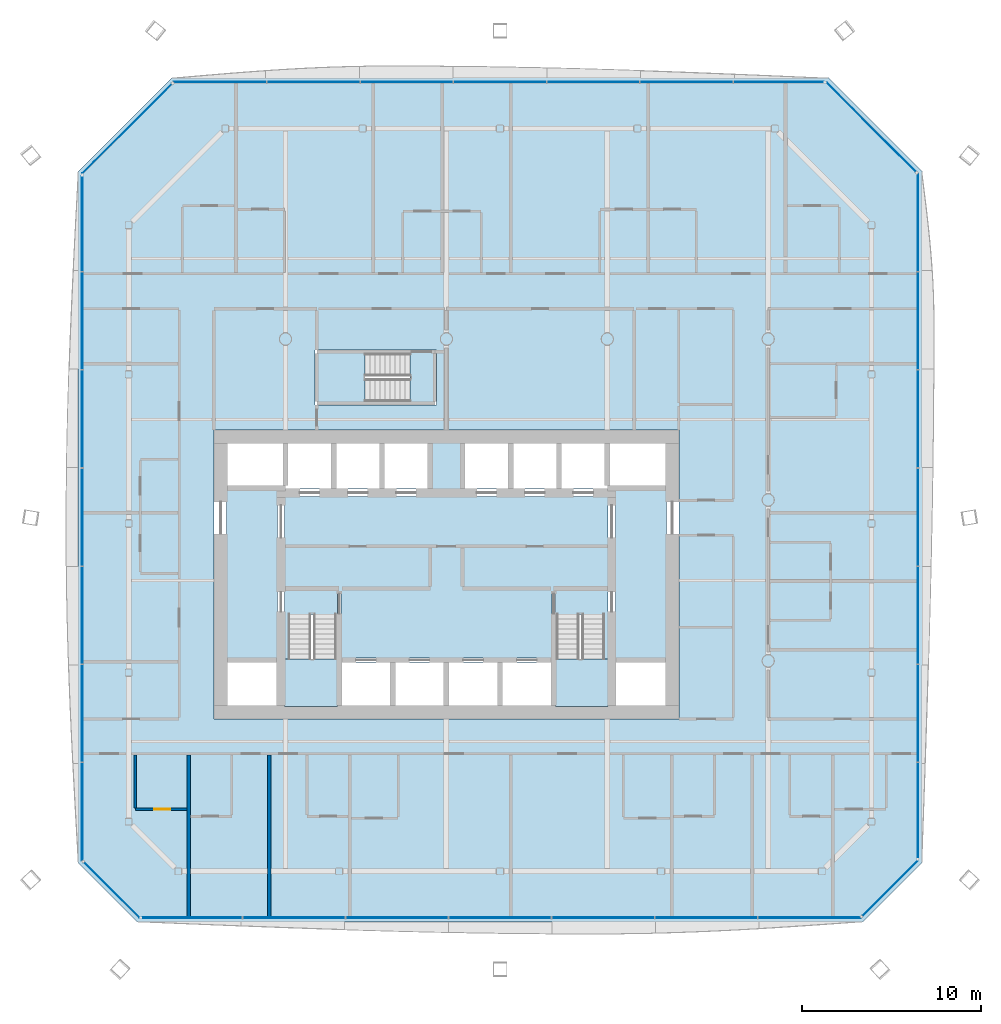
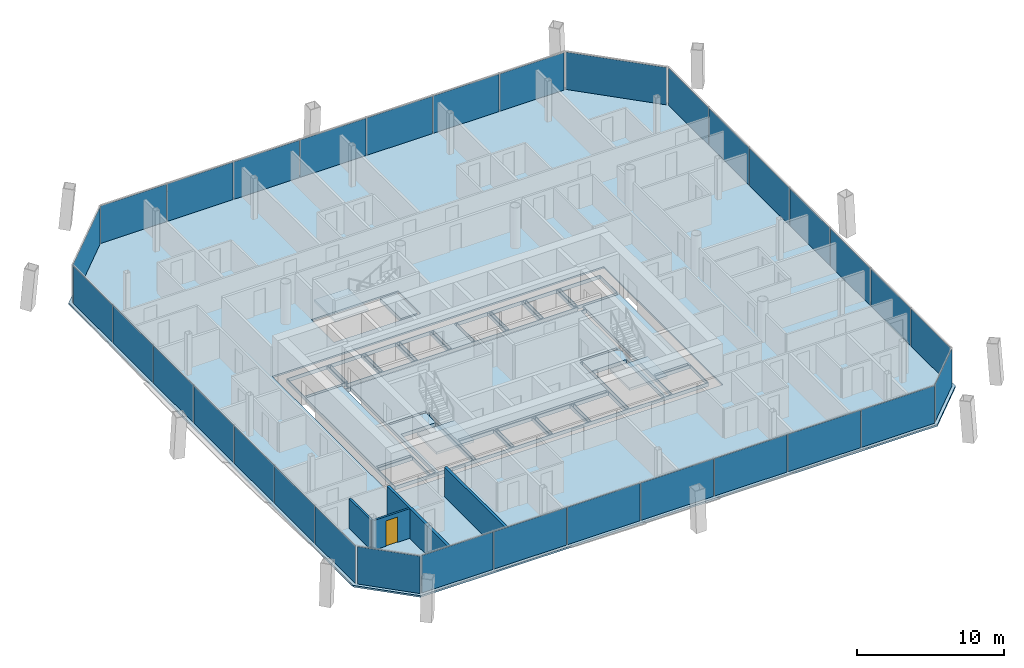
# One storey, part 12 of 22: 32 plates, 6 slabs, 4 walls, 1 door, 1 opening, 11 elements without a shape of their own.
"""IFC4 building model written with IfcOpenShell, lengths in metres."""

from ifc_helpers import new_model, si_unit, direction, frame, frame_2d, origin, origin_2d, place, context, subcontext, project, spatial, polyline, rectangle, outline, extrude, material, layer, layer_set, type_object, element, fill, aggregate, save


model = new_model("IFC4")

# Units and contexts
model_context = context("Model", 3, precision=1e-05, world=origin(), true_north=direction((0.0, 1.0)))
body_context = subcontext(model_context, "Body", "Model", "MODEL_VIEW")
ifc_project = project(units=[si_unit("LENGTHUNIT", "METRE"), si_unit("AREAUNIT", "SQUARE_METRE"), si_unit("VOLUMEUNIT", "CUBIC_METRE"), si_unit("PLANEANGLEUNIT", "RADIAN"), si_unit("MASSUNIT", "GRAM", prefix="KILO")], contexts=[model_context])

# Site, building, storey
site_placement = place(None, origin())
site = spatial("IfcSite", under=ifc_project, at=site_placement, CompositionType="ELEMENT")
building_placement = place(site_placement, origin())
building = spatial("IfcBuilding", under=site, at=building_placement, Name="Tskaro Facet Tower", CompositionType="ELEMENT")
storey_placement = place(building_placement, frame((0.0, 0.0, 124.89990234375)))
storey = spatial("IfcBuildingStorey", under=building, at=storey_placement, Name="L29", CompositionType="ELEMENT", Elevation=124.89990234375)

# Slab
ifc_material_1 = material(Name="Concrete C30/37", Category="concrete")
ifc_layer_1 = layer(ifc_material_1, 0.139892578125, Name="Concrete C30/37")
ifc_layer_set_1 = layer_set([ifc_layer_1], Name="Concrete C30/37")
slab_type_1 = type_object("IfcSlabType", Name="Composite deck floor slab", PredefinedType="FLOOR", material=ifc_layer_set_1)
slab_1_placement = place(storey_placement, frame((0.0, 0.0, -0.139892578125)))
element("IfcSlab", 1, at=slab_1_placement, inside=storey, type_object=slab_type_1, Name="Floor slab FS3 L29", PredefinedType="FLOOR", context=body_context, shape_type="SweptSolid", body=[
    extrude(outline(polyline([(-17.27001953125, -23.616943359375), (23.27001953125, -23.616943359375), (26.616943359375, -20.27001953125), (26.616943359375, 18.35693359375), (21.35693359375, 23.616943359375), (-15.35693359375, 23.616943359375), (-20.616943359375, 18.35693359375), (-20.616943359375, -20.27001953125), (-17.27001953125, -23.616943359375)]), holes=[polyline([(-13.0, -12.25), (13.0, -12.25), (13.0, 3.89990234375), (-13.0, 3.89990234375), (-13.0, -12.25)]), polyline([(-7.35009765625, 5.300048828125), (-0.550048828125, 5.300048828125), (-0.550048828125, 8.39990234375), (-7.35009765625, 8.39990234375), (-7.35009765625, 5.300048828125)])]), origin(), (0.0, 0.0, 1.0), 0.139892578125),
])

# Curtain wall, plates
ifc_material_2 = material(Name="Bronze anodised aluminium 6063-T6", Category="aluminium")
curtain_wall_type = type_object("IfcCurtainWallType", Name="Bronze hotel curtain wall (FW2)", PredefinedType="NOTDEFINED", material=ifc_material_2)
curtain_wall_1_placement = place(storey_placement, origin())
curtain_wall_1 = element("IfcCurtainWall", 2, at=curtain_wall_1_placement, inside=storey, type_object=curtain_wall_type, Name="FW2 south facet L29", PredefinedType="NOTDEFINED")
ifc_material_3 = material(Name="Bronze solar control glass", Category="glass")
ifc_layer_2 = layer(ifc_material_3, 0.030029296875, Name="Bronze solar control glass")
ifc_layer_set_2 = layer_set([ifc_layer_2], Name="Bronze solar control glass")
plate_type = type_object("IfcPlateType", Name="FW2 bronze-tinted unit glazing 30", PredefinedType="CURTAIN_PANEL", material=ifc_layer_set_2)
plate_1_placement = place(storey_placement, frame((-14.22509765625, -23.366943359375, 0.0), z_axis=(0.0, 0.0, 1.0), x_axis=(1.0, 0.0, 0.0)))
plate_1 = element("IfcPlate", 3, at=plate_1_placement, type_object=plate_type, Name="FW2 south glazing 1.1", PredefinedType="CURTAIN_PANEL", context=body_context, shape_type="SweptSolid", body=[
    extrude(rectangle(XDim=5.581787109375, YDim=0.030029296875, at=origin_2d()), origin(), (0.0, 0.0, 1.0), 3.10009765625),
])
plate_2_placement = place(storey_placement, frame((-8.5234375, -23.366943359375, 0.0), z_axis=(0.0, 0.0, 1.0), x_axis=(1.0, 0.0, 0.0)))
plate_2 = element("IfcPlate", 4, at=plate_2_placement, type_object=plate_type, Name="FW2 south glazing 2.1", PredefinedType="CURTAIN_PANEL", context=body_context, shape_type="SweptSolid", body=[
    extrude(rectangle(XDim=5.70166015625, YDim=0.030029296875, at=origin_2d()), origin(), (0.0, 0.0, 1.0), 3.10009765625),
])
plate_3_placement = place(storey_placement, frame((-2.76171875, -23.366943359375, 0.0), z_axis=(0.0, 0.0, 1.0), x_axis=(1.0, 0.0, 0.0)))
plate_3 = element("IfcPlate", 5, at=plate_3_placement, type_object=plate_type, Name="FW2 south glazing 3.1", PredefinedType="CURTAIN_PANEL", context=body_context, shape_type="SweptSolid", body=[
    extrude(rectangle(XDim=5.70166015625, YDim=0.030029296875, at=origin_2d()), origin(), (0.0, 0.0, 1.0), 3.10009765625),
])
plate_4_placement = place(storey_placement, frame((3.0, -23.366943359375, 0.0), z_axis=(0.0, 0.0, 1.0), x_axis=(1.0, 0.0, 0.0)))
plate_4 = element("IfcPlate", 6, at=plate_4_placement, type_object=plate_type, Name="FW2 south glazing 4.1", PredefinedType="CURTAIN_PANEL", context=body_context, shape_type="SweptSolid", body=[
    extrude(rectangle(XDim=5.70166015625, YDim=0.030029296875, at=origin_2d()), origin(), (0.0, 0.0, 1.0), 3.10009765625),
])
plate_5_placement = place(storey_placement, frame((8.76171875, -23.366943359375, 0.0), z_axis=(0.0, 0.0, 1.0), x_axis=(1.0, 0.0, 0.0)))
plate_5 = element("IfcPlate", 7, at=plate_5_placement, type_object=plate_type, Name="FW2 south glazing 5.1", PredefinedType="CURTAIN_PANEL", context=body_context, shape_type="SweptSolid", body=[
    extrude(rectangle(XDim=5.70166015625, YDim=0.030029296875, at=origin_2d()), origin(), (0.0, 0.0, 1.0), 3.10009765625),
])
plate_6_placement = place(storey_placement, frame((14.5234375, -23.366943359375, 0.0), z_axis=(0.0, 0.0, 1.0), x_axis=(1.0, 0.0, 0.0)))
plate_6 = element("IfcPlate", 8, at=plate_6_placement, type_object=plate_type, Name="FW2 south glazing 6.1", PredefinedType="CURTAIN_PANEL", context=body_context, shape_type="SweptSolid", body=[
    extrude(rectangle(XDim=5.70166015625, YDim=0.030029296875, at=origin_2d()), origin(), (0.0, 0.0, 1.0), 3.10009765625),
])
plate_7_placement = place(storey_placement, frame((20.300048828125, -23.366943359375, 0.0), z_axis=(0.0, 0.0, 1.0), x_axis=(1.0, 0.0, 0.0)))
plate_7 = element("IfcPlate", 9, at=plate_7_placement, type_object=plate_type, Name="FW2 south glazing 7.1", PredefinedType="CURTAIN_PANEL", context=body_context, shape_type="SweptSolid", body=[
    extrude(rectangle(XDim=5.731689453125, YDim=0.030029296875, at=origin_2d()), origin(), (0.0, 0.0, 1.0), 3.10009765625),
])
aggregate(curtain_wall_1, [plate_1, plate_2, plate_3, plate_4, plate_5, plate_6, plate_7])

# Curtain wall, plate
curtain_wall_2_placement = place(storey_placement, origin())
curtain_wall_2 = element("IfcCurtainWall", 10, at=curtain_wall_2_placement, inside=storey, type_object=curtain_wall_type, Name="FW2 south-east facet L29", PredefinedType="NOTDEFINED")
plate_8_placement = place(storey_placement, frame((24.819580078125, -21.71337890625, 0.0), z_axis=(0.0, 0.0, 1.0), x_axis=(0.707106781187, 0.707106781187, 0.0)))
plate_8 = element("IfcPlate", 11, at=plate_8_placement, type_object=plate_type, Name="FW2 south-east glazing 1.1", PredefinedType="CURTAIN_PANEL", context=body_context, shape_type="SweptSolid", body=[
    extrude(rectangle(XDim=4.376953125, YDim=0.030029296875, at=origin_2d()), origin(), (0.0, 0.0, 1.0), 3.10009765625),
])
aggregate(curtain_wall_2, [plate_8])

# Curtain wall, plates
curtain_wall_3_placement = place(storey_placement, origin())
curtain_wall_3 = element("IfcCurtainWall", 12, at=curtain_wall_3_placement, inside=storey, type_object=curtain_wall_type, Name="FW2 east facet L29", PredefinedType="NOTDEFINED")
plate_9_placement = place(storey_placement, frame((26.366943359375, -17.36181640625, 0.0), z_axis=(0.0, 0.0, 1.0), x_axis=(0.0, 1.0, 0.0)))
plate_9 = element("IfcPlate", 13, at=plate_9_placement, type_object=plate_type, Name="FW2 east glazing 1.1", PredefinedType="CURTAIN_PANEL", context=body_context, shape_type="SweptSolid", body=[
    extrude(rectangle(XDim=5.308349609375, YDim=0.030029296875, at=origin_2d()), origin(), (0.0, 0.0, 1.0), 3.10009765625),
])
plate_10_placement = place(storey_placement, frame((26.366943359375, -11.933349609375, 0.0), z_axis=(0.0, 0.0, 1.0), x_axis=(0.0, 1.0, 0.0)))
plate_10 = element("IfcPlate", 14, at=plate_10_placement, type_object=plate_type, Name="FW2 east glazing 2.1", PredefinedType="CURTAIN_PANEL", context=body_context, shape_type="SweptSolid", body=[
    extrude(rectangle(XDim=5.428466796875, YDim=0.030029296875, at=origin_2d()), origin(), (0.0, 0.0, 1.0), 3.10009765625),
])
plate_11_placement = place(storey_placement, frame((26.366943359375, -6.44482421875, 0.0), z_axis=(0.0, 0.0, 1.0), x_axis=(0.0, 1.0, 0.0)))
plate_11 = element("IfcPlate", 15, at=plate_11_placement, type_object=plate_type, Name="FW2 east glazing 3.1", PredefinedType="CURTAIN_PANEL", context=body_context, shape_type="SweptSolid", body=[
    extrude(rectangle(XDim=5.428466796875, YDim=0.030029296875, at=origin_2d()), origin(), (0.0, 0.0, 1.0), 3.10009765625),
])
plate_12_placement = place(storey_placement, frame((26.366943359375, -0.95654296875, 0.0), z_axis=(0.0, 0.0, 1.0), x_axis=(0.0, 1.0, 0.0)))
plate_12 = element("IfcPlate", 16, at=plate_12_placement, type_object=plate_type, Name="FW2 east glazing 4.1", PredefinedType="CURTAIN_PANEL", context=body_context, shape_type="SweptSolid", body=[
    extrude(rectangle(XDim=5.428466796875, YDim=0.030029296875, at=origin_2d()), origin(), (0.0, 0.0, 1.0), 3.10009765625),
])
plate_13_placement = place(storey_placement, frame((26.366943359375, 4.531982421875, 0.0), z_axis=(0.0, 0.0, 1.0), x_axis=(0.0, 1.0, 0.0)))
plate_13 = element("IfcPlate", 17, at=plate_13_placement, type_object=plate_type, Name="FW2 east glazing 5.1", PredefinedType="CURTAIN_PANEL", context=body_context, shape_type="SweptSolid", body=[
    extrude(rectangle(XDim=5.428466796875, YDim=0.030029296875, at=origin_2d()), origin(), (0.0, 0.0, 1.0), 3.10009765625),
])
plate_14_placement = place(storey_placement, frame((26.366943359375, 10.020263671875, 0.0), z_axis=(0.0, 0.0, 1.0), x_axis=(0.0, 1.0, 0.0)))
plate_14 = element("IfcPlate", 18, at=plate_14_placement, type_object=plate_type, Name="FW2 east glazing 6.1", PredefinedType="CURTAIN_PANEL", context=body_context, shape_type="SweptSolid", body=[
    extrude(rectangle(XDim=5.428466796875, YDim=0.030029296875, at=origin_2d()), origin(), (0.0, 0.0, 1.0), 3.10009765625),
])
plate_15_placement = place(storey_placement, frame((26.366943359375, 15.523681640625, 0.0), z_axis=(0.0, 0.0, 1.0), x_axis=(0.0, 1.0, 0.0)))
plate_15 = element("IfcPlate", 19, at=plate_15_placement, type_object=plate_type, Name="FW2 east glazing 7.1", PredefinedType="CURTAIN_PANEL", context=body_context, shape_type="SweptSolid", body=[
    extrude(rectangle(XDim=5.45849609375, YDim=0.030029296875, at=origin_2d()), origin(), (0.0, 0.0, 1.0), 3.10009765625),
])
aggregate(curtain_wall_3, [plate_9, plate_10, plate_11, plate_12, plate_13, plate_14, plate_15])

# Curtain wall, plate
curtain_wall_4_placement = place(storey_placement, origin())
curtain_wall_4 = element("IfcCurtainWall", 20, at=curtain_wall_4_placement, inside=storey, type_object=curtain_wall_type, Name="FW2 north-east facet L29", PredefinedType="NOTDEFINED")
plate_16_placement = place(storey_placement, frame((23.757080078125, 20.863037109375, 0.0), z_axis=(0.0, 0.0, 1.0), x_axis=(-0.707106781187, 0.707106781187, 0.0)))
plate_16 = element("IfcPlate", 21, at=plate_16_placement, type_object=plate_type, Name="FW2 north-east glazing 1.1", PredefinedType="CURTAIN_PANEL", context=body_context, shape_type="SweptSolid", body=[
    extrude(rectangle(XDim=7.082275390625, YDim=0.030029296875, at=origin_2d()), origin(), (0.0, 0.0, 1.0), 3.10009765625),
])
aggregate(curtain_wall_4, [plate_16])

# Curtain wall, plates
curtain_wall_5_placement = place(storey_placement, origin())
curtain_wall_5 = element("IfcCurtainWall", 22, at=curtain_wall_5_placement, inside=storey, type_object=curtain_wall_type, Name="FW2 north facet L29", PredefinedType="NOTDEFINED")
plate_17_placement = place(storey_placement, frame((18.58544921875, 23.366943359375, 0.0), z_axis=(0.0, 0.0, 1.0), x_axis=(-1.0, 0.0, 0.0)))
plate_17 = element("IfcPlate", 23, at=plate_17_placement, type_object=plate_type, Name="FW2 north glazing 1.1", PredefinedType="CURTAIN_PANEL", context=body_context, shape_type="SweptSolid", body=[
    extrude(rectangle(XDim=5.03515625, YDim=0.030029296875, at=origin_2d()), origin(), (0.0, 0.0, 1.0), 3.10009765625),
])
plate_18_placement = place(storey_placement, frame((13.43017578125, 23.366943359375, 0.0), z_axis=(0.0, 0.0, 1.0), x_axis=(-1.0, 0.0, 0.0)))
plate_18 = element("IfcPlate", 24, at=plate_18_placement, type_object=plate_type, Name="FW2 north glazing 2.1", PredefinedType="CURTAIN_PANEL", context=body_context, shape_type="SweptSolid", body=[
    extrude(rectangle(XDim=5.155029296875, YDim=0.030029296875, at=origin_2d()), origin(), (0.0, 0.0, 1.0), 3.10009765625),
])
plate_19_placement = place(storey_placement, frame((8.215087890625, 23.366943359375, 0.0), z_axis=(0.0, 0.0, 1.0), x_axis=(-1.0, 0.0, 0.0)))
plate_19 = element("IfcPlate", 25, at=plate_19_placement, type_object=plate_type, Name="FW2 north glazing 3.1", PredefinedType="CURTAIN_PANEL", context=body_context, shape_type="SweptSolid", body=[
    extrude(rectangle(XDim=5.155029296875, YDim=0.030029296875, at=origin_2d()), origin(), (0.0, 0.0, 1.0), 3.10009765625),
])
plate_20_placement = place(storey_placement, frame((3.0, 23.366943359375, 0.0), z_axis=(0.0, 0.0, 1.0), x_axis=(-1.0, 0.0, 0.0)))
plate_20 = element("IfcPlate", 26, at=plate_20_placement, type_object=plate_type, Name="FW2 north glazing 4.1", PredefinedType="CURTAIN_PANEL", context=body_context, shape_type="SweptSolid", body=[
    extrude(rectangle(XDim=5.155029296875, YDim=0.030029296875, at=origin_2d()), origin(), (0.0, 0.0, 1.0), 3.10009765625),
])
plate_21_placement = place(storey_placement, frame((-2.215087890625, 23.366943359375, 0.0), z_axis=(0.0, 0.0, 1.0), x_axis=(-1.0, 0.0, 0.0)))
plate_21 = element("IfcPlate", 27, at=plate_21_placement, type_object=plate_type, Name="FW2 north glazing 5.1", PredefinedType="CURTAIN_PANEL", context=body_context, shape_type="SweptSolid", body=[
    extrude(rectangle(XDim=5.155029296875, YDim=0.030029296875, at=origin_2d()), origin(), (0.0, 0.0, 1.0), 3.10009765625),
])
plate_22_placement = place(storey_placement, frame((-7.43017578125, 23.366943359375, 0.0), z_axis=(0.0, 0.0, 1.0), x_axis=(-1.0, 0.0, 0.0)))
plate_22 = element("IfcPlate", 28, at=plate_22_placement, type_object=plate_type, Name="FW2 north glazing 6.1", PredefinedType="CURTAIN_PANEL", context=body_context, shape_type="SweptSolid", body=[
    extrude(rectangle(XDim=5.155029296875, YDim=0.030029296875, at=origin_2d()), origin(), (0.0, 0.0, 1.0), 3.10009765625),
])
plate_23_placement = place(storey_placement, frame((-12.660400390625, 23.366943359375, 0.0), z_axis=(0.0, 0.0, 1.0), x_axis=(-1.0, 0.0, 0.0)))
plate_23 = element("IfcPlate", 29, at=plate_23_placement, type_object=plate_type, Name="FW2 north glazing 7.1", PredefinedType="CURTAIN_PANEL", context=body_context, shape_type="SweptSolid", body=[
    extrude(rectangle(XDim=5.18505859375, YDim=0.030029296875, at=origin_2d()), origin(), (0.0, 0.0, 1.0), 3.10009765625),
])
aggregate(curtain_wall_5, [plate_17, plate_18, plate_19, plate_20, plate_21, plate_22, plate_23])

# Curtain wall, plate
curtain_wall_6_placement = place(storey_placement, origin())
curtain_wall_6 = element("IfcCurtainWall", 30, at=curtain_wall_6_placement, inside=storey, type_object=curtain_wall_type, Name="FW2 north-west facet L29", PredefinedType="NOTDEFINED")
plate_24_placement = place(storey_placement, frame((-17.863037109375, 20.757080078125, 0.0), z_axis=(0.0, 0.0, 1.0), x_axis=(-0.707106781187, -0.707106781187, 0.0)))
plate_24 = element("IfcPlate", 31, at=plate_24_placement, type_object=plate_type, Name="FW2 north-west glazing 1.1", PredefinedType="CURTAIN_PANEL", context=body_context, shape_type="SweptSolid", body=[
    extrude(rectangle(XDim=7.082275390625, YDim=0.030029296875, at=origin_2d()), origin(), (0.0, 0.0, 1.0), 3.10009765625),
])
aggregate(curtain_wall_6, [plate_24])

# Curtain wall, plates
curtain_wall_7_placement = place(storey_placement, origin())
curtain_wall_7 = element("IfcCurtainWall", 32, at=curtain_wall_7_placement, inside=storey, type_object=curtain_wall_type, Name="FW2 west facet L29", PredefinedType="NOTDEFINED")
plate_25_placement = place(storey_placement, frame((-20.366943359375, 15.44873046875, 0.0), z_axis=(0.0, 0.0, 1.0), x_axis=(0.0, -1.0, 0.0)))
plate_25 = element("IfcPlate", 33, at=plate_25_placement, type_object=plate_type, Name="FW2 west glazing 1.1", PredefinedType="CURTAIN_PANEL", context=body_context, shape_type="SweptSolid", body=[
    extrude(rectangle(XDim=5.308349609375, YDim=0.030029296875, at=origin_2d()), origin(), (0.0, 0.0, 1.0), 3.10009765625),
])
plate_26_placement = place(storey_placement, frame((-20.366943359375, 10.020263671875, 0.0), z_axis=(0.0, 0.0, 1.0), x_axis=(0.0, -1.0, 0.0)))
plate_26 = element("IfcPlate", 34, at=plate_26_placement, type_object=plate_type, Name="FW2 west glazing 2.1", PredefinedType="CURTAIN_PANEL", context=body_context, shape_type="SweptSolid", body=[
    extrude(rectangle(XDim=5.428466796875, YDim=0.030029296875, at=origin_2d()), origin(), (0.0, 0.0, 1.0), 3.10009765625),
])
plate_27_placement = place(storey_placement, frame((-20.366943359375, 4.531982421875, 0.0), z_axis=(0.0, 0.0, 1.0), x_axis=(0.0, -1.0, 0.0)))
plate_27 = element("IfcPlate", 35, at=plate_27_placement, type_object=plate_type, Name="FW2 west glazing 3.1", PredefinedType="CURTAIN_PANEL", context=body_context, shape_type="SweptSolid", body=[
    extrude(rectangle(XDim=5.428466796875, YDim=0.030029296875, at=origin_2d()), origin(), (0.0, 0.0, 1.0), 3.10009765625),
])
plate_28_placement = place(storey_placement, frame((-20.366943359375, -0.95654296875, 0.0), z_axis=(0.0, 0.0, 1.0), x_axis=(0.0, -1.0, 0.0)))
plate_28 = element("IfcPlate", 36, at=plate_28_placement, type_object=plate_type, Name="FW2 west glazing 4.1", PredefinedType="CURTAIN_PANEL", context=body_context, shape_type="SweptSolid", body=[
    extrude(rectangle(XDim=5.428466796875, YDim=0.030029296875, at=origin_2d()), origin(), (0.0, 0.0, 1.0), 3.10009765625),
])
plate_29_placement = place(storey_placement, frame((-20.366943359375, -6.44482421875, 0.0), z_axis=(0.0, 0.0, 1.0), x_axis=(0.0, -1.0, 0.0)))
plate_29 = element("IfcPlate", 37, at=plate_29_placement, type_object=plate_type, Name="FW2 west glazing 5.1", PredefinedType="CURTAIN_PANEL", context=body_context, shape_type="SweptSolid", body=[
    extrude(rectangle(XDim=5.428466796875, YDim=0.030029296875, at=origin_2d()), origin(), (0.0, 0.0, 1.0), 3.10009765625),
])
plate_30_placement = place(storey_placement, frame((-20.366943359375, -11.933349609375, 0.0), z_axis=(0.0, 0.0, 1.0), x_axis=(0.0, -1.0, 0.0)))
plate_30 = element("IfcPlate", 38, at=plate_30_placement, type_object=plate_type, Name="FW2 west glazing 6.1", PredefinedType="CURTAIN_PANEL", context=body_context, shape_type="SweptSolid", body=[
    extrude(rectangle(XDim=5.428466796875, YDim=0.030029296875, at=origin_2d()), origin(), (0.0, 0.0, 1.0), 3.10009765625),
])
plate_31_placement = place(storey_placement, frame((-20.366943359375, -17.436767578125, 0.0), z_axis=(0.0, 0.0, 1.0), x_axis=(0.0, -1.0, 0.0)))
plate_31 = element("IfcPlate", 39, at=plate_31_placement, type_object=plate_type, Name="FW2 west glazing 7.1", PredefinedType="CURTAIN_PANEL", context=body_context, shape_type="SweptSolid", body=[
    extrude(rectangle(XDim=5.45849609375, YDim=0.030029296875, at=origin_2d()), origin(), (0.0, 0.0, 1.0), 3.10009765625),
])
aggregate(curtain_wall_7, [plate_25, plate_26, plate_27, plate_28, plate_29, plate_30, plate_31])

# Curtain wall, plate
curtain_wall_8_placement = place(storey_placement, origin())
curtain_wall_8 = element("IfcCurtainWall", 40, at=curtain_wall_8_placement, inside=storey, type_object=curtain_wall_type, Name="FW2 south-west facet L29", PredefinedType="NOTDEFINED")
plate_32_placement = place(storey_placement, frame((-18.71337890625, -21.819580078125, 0.0), z_axis=(0.0, 0.0, 1.0), x_axis=(0.707106781187, -0.707106781187, 0.0)))
plate_32 = element("IfcPlate", 41, at=plate_32_placement, type_object=plate_type, Name="FW2 south-west glazing 1.1", PredefinedType="CURTAIN_PANEL", context=body_context, shape_type="SweptSolid", body=[
    extrude(rectangle(XDim=4.376953125, YDim=0.030029296875, at=origin_2d()), origin(), (0.0, 0.0, 1.0), 3.10009765625),
])
aggregate(curtain_wall_8, [plate_32])

# Stair, slab
ifc_material_4 = material(Name="Concrete C40/50", Category="concrete")
stair_type = type_object("IfcStairType", Name="ST-TWR", PredefinedType="HALF_TURN_STAIR", material=ifc_material_4)
stair_1_placement = place(storey_placement, origin())
stair_1 = element("IfcStair", 42, at=stair_1_placement, inside=storey, type_object=stair_type, Name="L29 Exit stair 1", PredefinedType="HALF_TURN_STAIR")
ifc_layer_3 = layer(ifc_material_4, 0.199951171875, Name="Concrete C40/50")
ifc_layer_set_3 = layer_set([ifc_layer_3], Name="Concrete C40/50")
slab_type_2 = type_object("IfcSlabType", Name="SL-LANDING", PredefinedType="LANDING", material=ifc_layer_set_3)
slab_2_placement = place(storey_placement, frame((0.0, 0.0, 1.5)))
slab_2 = element("IfcSlab", 43, at=slab_2_placement, type_object=slab_type_2, Name="ST-1 landing 1", PredefinedType="LANDING", context=body_context, shape_type="SweptSolid", body=[
    extrude(outline(polyline([(-9.050048828125, -11.550048828125), (-6.10009765625, -11.550048828125), (-6.10009765625, -8.89501953125), (-9.050048828125, -8.89501953125), (-9.050048828125, -11.550048828125)])), origin(), (0.0, 0.0, 1.0), 0.2001953125),
])
aggregate(stair_1, [slab_2])

stair_2_placement = place(storey_placement, origin())
stair_2 = element("IfcStair", 44, at=stair_2_placement, inside=storey, type_object=stair_type, Name="L29 Exit stair 2", PredefinedType="HALF_TURN_STAIR")
slab_3_placement = place(storey_placement, frame((0.0, 0.0, 1.5)))
slab_3 = element("IfcSlab", 45, at=slab_3_placement, type_object=slab_type_2, Name="ST-2 landing 1", PredefinedType="LANDING", context=body_context, shape_type="SweptSolid", body=[
    extrude(outline(polyline([(6.10009765625, -11.550048828125), (9.050048828125, -11.550048828125), (9.050048828125, -8.89501953125), (6.10009765625, -8.89501953125), (6.10009765625, -11.550048828125)])), origin(), (0.0, 0.0, 1.0), 0.2001953125),
])
aggregate(stair_2, [slab_3])

stair_3_placement = place(storey_placement, origin())
stair_3 = element("IfcStair", 46, at=stair_3_placement, inside=storey, type_object=stair_type, Name="L29 Exit stair 3", PredefinedType="HALF_TURN_STAIR")
slab_4_placement = place(storey_placement, frame((0.0, 0.0, 1.5)))
slab_4 = element("IfcSlab", 47, at=slab_4_placement, type_object=slab_type_2, Name="ST-3 landing 1", PredefinedType="LANDING", context=body_context, shape_type="SweptSolid", body=[
    extrude(outline(polyline([(-7.199951171875, 5.449951171875), (-4.544921875, 5.449951171875), (-4.544921875, 8.25), (-7.199951171875, 8.25), (-7.199951171875, 5.449951171875)])), origin(), (0.0, 0.0, 1.0), 0.2001953125),
])
aggregate(stair_3, [slab_4])

# Slabs
ifc_material_5 = material(Name="Concrete C60/75", Category="concrete")
ifc_layer_4 = layer(ifc_material_5, 0.300048828125, Name="Concrete C60/75")
ifc_layer_set_4 = layer_set([ifc_layer_4], Name="Concrete C60/75")
slab_type_3 = type_object("IfcSlabType", Name="SLAB-CORE", PredefinedType="FLOOR", material=ifc_layer_set_4)
slab_5_placement = place(storey_placement, frame((0.0, 0.0, -0.2998046875)))
element("IfcSlab", 48, at=slab_5_placement, inside=storey, type_object=slab_type_3, Name="Core floor slab 1", PredefinedType="FLOOR", context=body_context, shape_type="SweptSolid", body=[
    extrude(outline(polyline([(-12.300048828125, 3.199951171875), (12.300048828125, 3.199951171875), (12.300048828125, 3.10009765625), (12.300048828125, -11.449951171875), (12.300048828125, -11.550048828125), (-12.300048828125, -11.550048828125), (-12.300048828125, -11.449951171875), (-12.300048828125, 3.10009765625), (-12.300048828125, 3.199951171875)]), holes=[polyline([(-9.5, -9.10009765625), (-12.25, -9.10009765625), (-12.25, -11.5), (-9.5, -11.5), (-9.5, -9.10009765625)]), polyline([(-5.85009765625, -9.10009765625), (-5.85009765625, -11.5), (-3.14990234375, -11.5), (-3.14990234375, -9.10009765625), (-5.85009765625, -9.10009765625)]), polyline([(-12.199951171875, -9.050048828125), (-9.550048828125, -9.050048828125), (-9.550048828125, -8.85009765625), (-12.199951171875, -8.85009765625), (-12.199951171875, -9.050048828125)]), polyline([(-6.10009765625, -5.14990234375), (-6.10009765625, -11.449951171875), (-5.89990234375, -11.449951171875), (-5.89990234375, -5.14990234375), (-6.10009765625, -5.14990234375)]), polyline([(-9.449951171875, 0.10009765625), (-9.449951171875, -11.449951171875), (-9.050048828125, -11.449951171875), (-9.050048828125, 0.10009765625), (-9.449951171875, 0.10009765625)]), polyline([(-8.949951171875, -5.050048828125), (-6.050048828125, -5.050048828125), (-6.050048828125, -4.85009765625), (-8.949951171875, -4.85009765625), (-8.949951171875, -5.050048828125)]), polyline([(9.449951171875, 0.199951171875), (9.449951171875, 0.550048828125), (12.199951171875, 0.550048828125), (12.199951171875, 0.75), (9.050048828125, 0.75), (9.050048828125, 0.60009765625), (-9.050048828125, 0.60009765625), (-9.050048828125, 0.75), (-12.199951171875, 0.75), (-12.199951171875, 0.550048828125), (-9.449951171875, 0.550048828125), (-9.449951171875, 0.199951171875), (9.449951171875, 0.199951171875)]), polyline([(-8.85009765625, 0.800048828125), (-9.0, 0.800048828125), (-9.0, 0.64990234375), (-6.449951171875, 0.64990234375), (-6.449951171875, 3.14990234375), (-8.85009765625, 3.14990234375), (-8.85009765625, 0.800048828125)]), polyline([(-6.14990234375, 0.64990234375), (-3.75, 0.64990234375), (-3.75, 3.14990234375), (-6.14990234375, 3.14990234375), (-6.14990234375, 0.64990234375)]), polyline([(-6.39990234375, 3.10009765625), (-6.39990234375, 0.699951171875), (-6.199951171875, 0.699951171875), (-6.199951171875, 3.10009765625), (-6.39990234375, 3.10009765625)]), polyline([(-9.14990234375, 3.14990234375), (-12.25, 3.14990234375), (-12.25, 0.800048828125), (-9.14990234375, 0.800048828125), (-9.14990234375, 3.14990234375)]), polyline([(-9.10009765625, 0.85009765625), (-8.89990234375, 0.85009765625), (-8.89990234375, 3.10009765625), (-9.10009765625, 3.10009765625), (-9.10009765625, 0.85009765625)]), polyline([(-3.10009765625, -11.449951171875), (-2.89990234375, -11.449951171875), (-2.89990234375, -9.14990234375), (-3.10009765625, -9.14990234375), (-3.10009765625, -11.449951171875)]), polyline([(-0.14990234375, -9.10009765625), (-2.85009765625, -9.10009765625), (-2.85009765625, -11.5), (-0.14990234375, -11.5), (-0.14990234375, -9.10009765625)]), polyline([(-0.10009765625, -9.14990234375), (-0.10009765625, -11.449951171875), (0.10009765625, -11.449951171875), (0.10009765625, -9.14990234375), (-0.10009765625, -9.14990234375)]), polyline([(0.14990234375, -9.10009765625), (0.14990234375, -11.5), (2.85009765625, -11.5), (2.85009765625, -9.10009765625), (0.14990234375, -9.10009765625)]), polyline([(-5.800048828125, -8.85009765625), (-5.800048828125, -9.050048828125), (5.800048828125, -9.050048828125), (5.800048828125, -8.85009765625), (-5.800048828125, -8.85009765625)]), polyline([(-1.050048828125, 0.64990234375), (-1.050048828125, 3.14990234375), (-3.449951171875, 3.14990234375), (-3.449951171875, 0.64990234375), (-1.050048828125, 0.64990234375)]), polyline([(3.449951171875, 0.64990234375), (3.449951171875, 3.14990234375), (1.050048828125, 3.14990234375), (1.050048828125, 0.64990234375), (3.449951171875, 0.64990234375)]), polyline([(-3.699951171875, 0.699951171875), (-3.5, 0.699951171875), (-3.5, 3.10009765625), (-3.699951171875, 3.10009765625), (-3.699951171875, 0.699951171875)]), polyline([(-1.0, 3.10009765625), (-1.0, 0.699951171875), (-0.800048828125, 0.699951171875), (-0.800048828125, 3.10009765625), (-1.0, 3.10009765625)]), polyline([(0.800048828125, 3.10009765625), (0.800048828125, 0.699951171875), (1.0, 0.699951171875), (1.0, 3.10009765625), (0.800048828125, 3.10009765625)]), polyline([(2.89990234375, -11.449951171875), (3.10009765625, -11.449951171875), (3.10009765625, -9.14990234375), (2.89990234375, -9.14990234375), (2.89990234375, -11.449951171875)]), polyline([(5.85009765625, -9.10009765625), (3.14990234375, -9.10009765625), (3.14990234375, -11.5), (5.85009765625, -11.5), (5.85009765625, -9.10009765625)]), polyline([(12.25, -11.5), (12.25, -9.10009765625), (9.5, -9.10009765625), (9.5, -11.5), (12.25, -11.5)]), polyline([(9.550048828125, -9.050048828125), (12.199951171875, -9.050048828125), (12.199951171875, -8.85009765625), (9.550048828125, -8.85009765625), (9.550048828125, -9.050048828125)]), polyline([(5.89990234375, -5.14990234375), (5.89990234375, -11.449951171875), (6.10009765625, -11.449951171875), (6.10009765625, -5.14990234375), (5.89990234375, -5.14990234375)]), polyline([(9.050048828125, 0.10009765625), (9.050048828125, -11.449951171875), (9.449951171875, -11.449951171875), (9.449951171875, 0.10009765625), (9.050048828125, 0.10009765625)]), polyline([(6.050048828125, -5.050048828125), (8.949951171875, -5.050048828125), (8.949951171875, -4.85009765625), (6.050048828125, -4.85009765625), (6.050048828125, -5.050048828125)]), polyline([(6.14990234375, 0.64990234375), (6.14990234375, 3.14990234375), (3.75, 3.14990234375), (3.75, 0.64990234375), (6.14990234375, 0.64990234375)]), polyline([(9.0, 0.800048828125), (8.85009765625, 0.800048828125), (8.85009765625, 3.14990234375), (6.449951171875, 3.14990234375), (6.449951171875, 0.64990234375), (9.0, 0.64990234375), (9.0, 0.800048828125)]), polyline([(3.5, 3.10009765625), (3.5, 0.699951171875), (3.699951171875, 0.699951171875), (3.699951171875, 3.10009765625), (3.5, 3.10009765625)]), polyline([(6.199951171875, 0.699951171875), (6.39990234375, 0.699951171875), (6.39990234375, 3.10009765625), (6.199951171875, 3.10009765625), (6.199951171875, 0.699951171875)]), polyline([(8.89990234375, 3.10009765625), (8.89990234375, 0.85009765625), (9.10009765625, 0.85009765625), (9.10009765625, 3.10009765625), (8.89990234375, 3.10009765625)]), polyline([(9.14990234375, 0.800048828125), (12.25, 0.800048828125), (12.25, 3.14990234375), (9.14990234375, 3.14990234375), (9.14990234375, 0.800048828125)]), polyline([(-8.85009765625, -11.5), (-6.14990234375, -11.5), (-6.14990234375, -6.39501953125), (-8.85009765625, -6.39501953125), (-8.85009765625, -11.5)]), polyline([(6.14990234375, -6.39501953125), (6.14990234375, -11.5), (8.85009765625, -11.5), (8.85009765625, -6.39501953125), (6.14990234375, -6.39501953125)])]), origin(), (0.0, 0.0, 1.0), 0.2998046875),
])
slab_6_placement = place(storey_placement, frame((0.0, 0.0, -0.2998046875)))
element("IfcSlab", 49, at=slab_6_placement, inside=storey, type_object=slab_type_3, Name="Stair 3 floor landing 1", PredefinedType="FLOOR", context=body_context, shape_type="SweptSolid", body=[
    extrude(outline(polyline([(-2.02490234375, 5.449951171875), (-0.699951171875, 5.449951171875), (-0.699951171875, 8.25), (-2.02490234375, 8.25), (-2.02490234375, 5.449951171875)])), origin(), (0.0, 0.0, 1.0), 0.2998046875),
])

# Wall, opening, door
ifc_material_6 = material(Name="Gypsum board on steel studs", Category="steel")
ifc_layer_5 = layer(ifc_material_6, 0.14990234375, Name="Gypsum board on steel studs")
ifc_layer_set_5 = layer_set([ifc_layer_5], Name="Gypsum board on steel studs")
wall_type_1 = type_object("IfcWallType", Name="PART-CORR", PredefinedType="PARTITIONING", material=ifc_layer_set_5)
wall_1_placement = place(storey_placement, frame((-17.39892578125, -17.300048828125, 0.0), z_axis=(0.0, 0.0, 1.0), x_axis=(1.0, 0.0, 0.0)))
wall_1 = element("IfcWall", 50, at=wall_1_placement, inside=storey, type_object=wall_type_1, Name="Corridor wall W007", PredefinedType="PARTITIONING", context=body_context, shape_type="SweptSolid", body=[
    extrude(rectangle(XDim=2.89990234375, YDim=0.14990234375, at=frame_2d((1.449951171875, 0.0))), origin(), (0.0, 0.0, 1.0), 2.460205078125),
])
opening_placement = place(wall_1_placement, frame((1.050048828125, 0.0, 0.0)))
opening = element("IfcOpeningElement", 51, at=opening_placement, cuts=wall_1, Name="Opening T8-D07", PredefinedType="OPENING", context=body_context, shape_type="SweptSolid", body=[
    extrude(rectangle(XDim=0.89990234375, YDim=2.10009765625, at=frame_2d((0.449951171875, 1.050048828125))), frame((0.0, 0.0849609375, 0.0), z_axis=(0.0, -1.0, 0.0), x_axis=(1.0, 0.0, 0.0)), (0.0, 0.0, 1.0), 0.169921875),
])
ifc_material_7 = material(Name="Timber", Category="wood")
door_type = type_object("IfcDoorType", Name="D-ROOM", OperationType="NOTDEFINED", PredefinedType="DOOR", material=ifc_material_7)
door_placement = place(opening_placement, origin())
door = element("IfcDoor", 52, at=door_placement, inside=storey, type_object=door_type, Name="Door T8-D07", OperationType="SINGLE_SWING_LEFT", OverallHeight=2.10009765625, OverallWidth=0.89990234375, PredefinedType="DOOR", context=body_context, shape_type="SweptSolid", body=[
    extrude(rectangle(XDim=0.89990234375, YDim=2.10009765625, at=frame_2d((0.449951171875, 1.050048828125))), frame((0.0, 0.02490234375, 0.0), z_axis=(0.0, -1.0, 0.0), x_axis=(1.0, 0.0, 0.0)), (0.0, 0.0, 1.0), 0.050048828125),
])
fill(opening, door)

# Walls
wall_2_placement = place(storey_placement, frame((-17.39892578125, -17.22509765625, 0.0), z_axis=(0.0, 0.0, 1.0), x_axis=(0.0, 1.0, 0.0)))
element("IfcWall", 53, at=wall_2_placement, inside=storey, type_object=wall_type_1, Name="Corridor wall W055", PredefinedType="PARTITIONING", context=body_context, shape_type="SweptSolid", body=[
    extrude(rectangle(XDim=2.9501953125, YDim=0.14990234375, at=frame_2d((1.47509765625, 0.0))), origin(), (0.0, 0.0, 1.0), 2.460205078125),
])
ifc_layer_6 = layer(ifc_material_6, 0.199951171875, Name="Gypsum board on steel studs")
ifc_layer_set_6 = layer_set([ifc_layer_6], Name="Gypsum board on steel studs")
wall_type_2 = type_object("IfcWallType", Name="PART-DEMISING", PredefinedType="PARTITIONING", material=ifc_layer_set_6)
for number, where, z_axis, x_axis, name in (
    (54, (-14.39892578125, -23.31689453125, 0.0), (0.0, 0.0, 1.0), (0.0, 1.0, 0.0), "Guest room wall W059"),
    (55, (-9.89892578125, -23.31689453125, 0.0), (0.0, 0.0, 1.0), (0.0, 1.0, 0.0), "Guest room wall W063"),
):
    element("IfcWall", number, at=place(storey_placement, frame(where, z_axis=z_axis, x_axis=x_axis)), inside=storey, type_object=wall_type_2, Name=name, PredefinedType="PARTITIONING", context=body_context, shape_type="SweptSolid", body=[
        extrude(rectangle(XDim=9.0419921875, YDim=0.199951171875, at=frame_2d((4.52099609375, 0.0))), origin(), (0.0, 0.0, 1.0), 2.460205078125),
    ])

save(model, "model.ifc")
